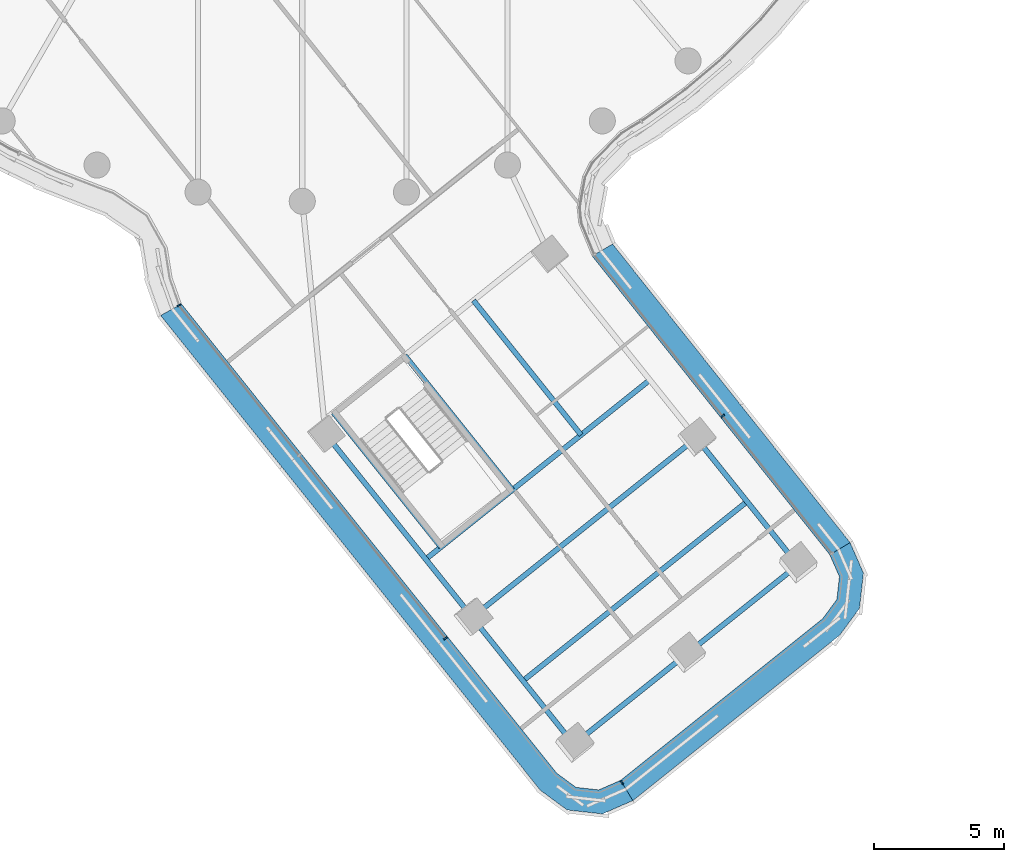
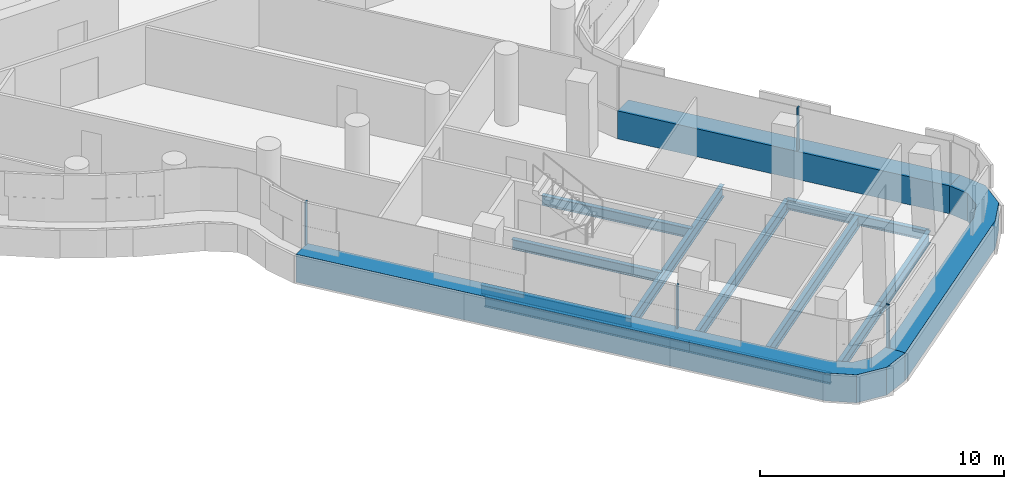
# One storey, part 4 of 31: 11 beams, 7 members, 3 elements without a shape of their own.
"""IFC4 building model written with IfcOpenShell, lengths in metres."""

from ifc_helpers import new_model, si_unit, direction, frame, origin, origin_2d, place, context, subcontext, project, spatial, polyline, rectangle, i_section, outline, extrude, material, layer, layer_set, material_profile, profile_set, type_object, element, aggregate, save


model = new_model("IFC4")

# Units and contexts
model_context = context("Model", 3, precision=1e-05, world=origin(), true_north=direction((0.0, 1.0)))
body_context = subcontext(model_context, "Body", "Model", "MODEL_VIEW")
ifc_project = project(units=[si_unit("LENGTHUNIT", "METRE"), si_unit("AREAUNIT", "SQUARE_METRE"), si_unit("VOLUMEUNIT", "CUBIC_METRE"), si_unit("PLANEANGLEUNIT", "RADIAN"), si_unit("MASSUNIT", "GRAM", prefix="KILO")], contexts=[model_context])

# Site, building, storey
site_placement = place(None, origin())
site = spatial("IfcSite", under=ifc_project, at=site_placement, CompositionType="ELEMENT")
building_placement = place(site_placement, origin())
building = spatial("IfcBuilding", under=site, at=building_placement, Name="Tamarind Cross Interchange Tower", CompositionType="ELEMENT")
storey_placement = place(building_placement, frame((0.0, 0.0, 174.25)))
storey = spatial("IfcBuildingStorey", under=building, at=storey_placement, Name="L43", CompositionType="ELEMENT", Elevation=174.25)

# Beams
ifc_material_1 = material(Name="Steel Q355B", Category="steel")
ifc_material_profile_1 = material_profile(ifc_material_1, i_section(OverallWidth=0.198974609375, OverallDepth=0.49609375, WebThickness=0.009033203125, FlangeThickness=0.013916015625, FilletRadius=0.012939453125, at=origin_2d()), Name="HN 496x199x9x14")
ifc_profile_set_1 = profile_set([ifc_material_profile_1], Name="Steel Q355B")
beam_type_1 = type_object("IfcBeamType", Name="Composite beam HN 496x199x9x14 Q355B", PredefinedType="BEAM", material=ifc_profile_set_1)
beam_1_placement = place(storey_placement, frame((10.406982421875, -43.814697265625, -0.387939453125), z_axis=(-0.624652076145, 0.780903184631, 0.0), x_axis=(-0.780903184631, -0.624652076145, 0.0)))
element("IfcBeam", 1, at=beam_1_placement, inside=storey, type_object=beam_type_1, Name="Beam S-edgeem5", PredefinedType="BEAM", context=body_context, shape_type="SweptSolid", body=[
    extrude(i_section(OverallWidth=0.198974609375, OverallDepth=0.49609375, WebThickness=0.009033203125, FlangeThickness=0.013916015625, FilletRadius=0.012939453125, at=origin_2d()), origin(), (0.0, 0.0, 1.0), 6.23583984375),
])
beam_2_placement = place(storey_placement, frame((6.51171875, -38.945068359375, -0.387939453125), z_axis=(-0.624652040483, 0.780903213158, 0.0), x_axis=(-0.780903213158, -0.624652040483, 0.0)))
element("IfcBeam", 2, at=beam_2_placement, inside=storey, type_object=beam_type_1, Name="Beam S-edgeem6", PredefinedType="BEAM", context=body_context, shape_type="SweptSolid", body=[
    extrude(i_section(OverallWidth=0.198974609375, OverallDepth=0.49609375, WebThickness=0.009033203125, FlangeThickness=0.013916015625, FilletRadius=0.012939453125, at=origin_2d()), origin(), (0.0, 0.0, 1.0), 9.0),
])
beam_3_placement = place(storey_placement, frame((18.996826171875, -36.943359375, -0.387939453125), z_axis=(-0.624652076145, 0.780903184631, 0.0), x_axis=(-0.780903184631, -0.624652076145, 0.0)))
element("IfcBeam", 3, at=beam_3_placement, inside=storey, type_object=beam_type_1, Name="Beam S-edgeep2", PredefinedType="BEAM", context=body_context, shape_type="SweptSolid", body=[
    extrude(i_section(OverallWidth=0.198974609375, OverallDepth=0.49609375, WebThickness=0.009033203125, FlangeThickness=0.013916015625, FilletRadius=0.012939453125, at=origin_2d()), origin(), (0.0, 0.0, 1.0), 6.23583984375),
])
for number, where, z_axis, x_axis, name in (
    (4, (1.1943359375, -31.09716796875, -0.387939453125), (0.624672491608, -0.780886853666, 0.0), (0.780886853666, 0.624672491608, 0.0), "Beam S-tr0"),
    (5, (3.927490234375, -28.910888671875, -0.387939453125), (0.624672491608, -0.780886853666, 0.0), (0.780886853666, 0.624672491608, 0.0), "Beam S-tr1"),
):
    element("IfcBeam", number, at=place(storey_placement, frame(where, z_axis=z_axis, x_axis=x_axis)), inside=storey, type_object=beam_type_1, Name=name, PredefinedType="BEAM", context=body_context, shape_type="SweptSolid", body=[
        extrude(i_section(OverallWidth=0.198974609375, OverallDepth=0.49609375, WebThickness=0.009033203125, FlangeThickness=0.013916015625, FilletRadius=0.012939453125, at=origin_2d()), origin(), (0.0, 0.0, 1.0), 6.599853515625),
    ])
beam_4_placement = place(storey_placement, frame((6.56298828125, -26.802490234375, -0.387939453125), z_axis=(0.624654447649, -0.780901287637, 0.0), x_axis=(0.780901287637, 0.624654447649, 0.0)))
element("IfcBeam", 6, at=beam_4_placement, inside=storey, type_object=beam_type_1, Name="Beam S-stripp", PredefinedType="BEAM", context=body_context, shape_type="SweptSolid", body=[
    extrude(i_section(OverallWidth=0.198974609375, OverallDepth=0.49609375, WebThickness=0.009033203125, FlangeThickness=0.013916015625, FilletRadius=0.012939453125, at=origin_2d()), origin(), (0.0, 0.0, 1.0), 6.60009765625),
])
ifc_material_profile_2 = material_profile(ifc_material_1, i_section(OverallWidth=0.199951171875, OverallDepth=0.60009765625, WebThickness=0.010986328125, FlangeThickness=0.01708984375, FilletRadius=0.012939453125, at=origin_2d()), Name="HN 600x200x11x17")
ifc_profile_set_2 = profile_set([ifc_material_profile_2], Name="Steel Q355B")
beam_type_2 = type_object("IfcBeamType", Name="Composite beam HN 600x200x11x17 Q355B", PredefinedType="BEAM", material=ifc_profile_set_2)
for number, where, z_axis, x_axis, name in (
    (7, (10.406982421875, -43.814697265625, -0.43994140625), (0.780881801019, 0.624678807739, 0.0), (-0.624678807739, 0.780881801019, 0.0), "Beam S-tip0"),
    (8, (14.701904296875, -40.37890625, -0.43994140625), (0.780903453855, 0.624651739578, 0.0), (-0.624651739578, 0.780903453855, 0.0), "Beam S-tip1"),
):
    element("IfcBeam", number, at=place(storey_placement, frame(where, z_axis=z_axis, x_axis=x_axis)), inside=storey, type_object=beam_type_2, Name=name, PredefinedType="BEAM", context=body_context, shape_type="SweptSolid", body=[
        extrude(i_section(OverallWidth=0.199951171875, OverallDepth=0.60009765625, WebThickness=0.010986328125, FlangeThickness=0.01708984375, FilletRadius=0.012939453125, at=origin_2d()), origin(), (0.0, 0.0, 1.0), 5.5),
    ])
for number, where, z_axis, x_axis, name in (
    (9, (4.7314453125, -36.719482421875, -0.43994140625), (0.780892627404, 0.62466527394, 0.0), (-0.62466527394, 0.780892627404, 0.0), "Beam S-x364"),
    (10, (6.51171875, -38.945068359375, -0.43994140625), (0.780892627404, 0.62466527394, 0.0), (-0.62466527394, 0.780892627404, 0.0), "Beam S-x393"),
    (11, (8.45947265625, -41.3798828125, -0.43994140625), (0.780892627404, 0.62466527394, 0.0), (-0.62466527394, 0.780892627404, 0.0), "Beam S-x424"),
):
    element("IfcBeam", number, at=place(storey_placement, frame(where, z_axis=z_axis, x_axis=x_axis)), inside=storey, type_object=beam_type_2, Name=name, PredefinedType="BEAM", context=body_context, shape_type="SweptSolid", body=[
        extrude(i_section(OverallWidth=0.199951171875, OverallDepth=0.60009765625, WebThickness=0.010986328125, FlangeThickness=0.01708984375, FilletRadius=0.012939453125, at=origin_2d()), origin(), (0.0, 0.0, 1.0), 11.0),
    ])

# Curtain wall, member
ifc_material_2 = material(Name="Aluminium 6063-T6", Category="aluminium")
ifc_layer = layer(ifc_material_2, 0.159912109375)
ifc_layer_set = layer_set([ifc_layer], Name="Aluminium 6063-T6")
curtain_wall_type = type_object("IfcCurtainWallType", Name="Office curtain wall, 9.0 m bays", PredefinedType="NOTDEFINED", material=ifc_layer_set)
curtain_wall_1_placement = place(storey_placement, origin())
curtain_wall_1 = element("IfcCurtainWall", 12, at=curtain_wall_1_placement, inside=storey, type_object=curtain_wall_type, Name="CWS-L43-03", PredefinedType="NOTDEFINED")
ifc_material_3 = material(Name="Aluminium and insulated spandrel panel", Category="aluminium")
member_type_1 = type_object("IfcMemberType", Name="Floor-edge blade transom", PredefinedType="USERDEFINED", material=ifc_material_3)
member_1_placement = place(storey_placement, origin())
member_1 = element("IfcMember", 13, at=member_1_placement, type_object=member_type_1, Name="CWT-L43-03", ObjectType="TRANSOM", PredefinedType="USERDEFINED", context=body_context, shape_type="SweptSolid", body=[
    extrude(outline(polyline([(-4.633056640625, -26.933837890625), (9.756103515625, -44.921875), (10.493408203125, -45.46435546875), (11.362548828125, -45.560791015625), (12.201171875, -45.193603515625), (12.670654296875, -45.970458984375), (11.5029296875, -46.48193359375), (10.154296875, -46.33203125), (9.127197265625, -45.57666015625), (-5.430908203125, -27.377197265625), (-4.633056640625, -26.933837890625)])), origin(), (0.0, 0.0, 1.0), 1.39990234375),
])

curtain_wall_2_placement = place(storey_placement, origin())
curtain_wall_2 = element("IfcCurtainWall", 14, at=curtain_wall_2_placement, inside=storey, type_object=curtain_wall_type, Name="CWS-L43-04", PredefinedType="NOTDEFINED")
member_2_placement = place(storey_placement, origin())
member_2 = element("IfcMember", 15, at=member_2_placement, type_object=member_type_1, Name="CWT-L43-04", ObjectType="TRANSOM", PredefinedType="USERDEFINED", context=body_context, shape_type="SweptSolid", body=[
    extrude(outline(polyline([(12.201171875, -45.193603515625), (19.9482421875, -38.996337890625), (20.49072265625, -38.259033203125), (20.58740234375, -37.389892578125), (20.219970703125, -36.551025390625), (20.997314453125, -36.08251953125), (21.508544921875, -37.24951171875), (21.358642578125, -38.59814453125), (20.60302734375, -39.625), (12.670654296875, -45.970458984375), (12.201171875, -45.193603515625)])), origin(), (0.0, 0.0, 1.0), 1.39990234375),
])

curtain_wall_3_placement = place(storey_placement, origin())
curtain_wall_3 = element("IfcCurtainWall", 16, at=curtain_wall_3_placement, inside=storey, type_object=curtain_wall_type, Name="CWS-L43-05", PredefinedType="NOTDEFINED")
member_3_placement = place(storey_placement, origin())
member_3 = element("IfcMember", 17, at=member_3_placement, type_object=member_type_1, Name="CWT-L43-05", ObjectType="TRANSOM", PredefinedType="USERDEFINED", context=body_context, shape_type="SweptSolid", body=[
    extrude(outline(polyline([(20.219970703125, -36.551025390625), (11.109375, -25.097900390625), (11.893310546875, -24.637451171875), (20.997314453125, -36.08251953125), (20.219970703125, -36.551025390625)])), origin(), (0.0, 0.0, 1.0), 1.39990234375),
])

# Member
ifc_material_profile_3 = material_profile(ifc_material_2, rectangle(XDim=0.06005859375, YDim=0.159912109375, at=origin_2d()), Name="Mullion CW1")
ifc_profile_set_3 = profile_set([ifc_material_profile_3], Name="Aluminium 6063-T6")
member_type_2 = type_object("IfcMemberType", Name="Mullion CW1", PredefinedType="MULLION", material=ifc_profile_set_3)
member_4_placement = place(storey_placement, frame((-4.721923828125, -26.983154296875, 1.39990234375), z_axis=(0.0, 0.0, 1.0), x_axis=(0.485867718197, -0.874032356617, 0.0)))
member_4 = element("IfcMember", 18, at=member_4_placement, type_object=member_type_2, Name="CWM-L43-03-00", PredefinedType="MULLION", context=body_context, shape_type="SweptSolid", body=[
    extrude(rectangle(XDim=0.06005859375, YDim=0.159912109375, at=origin_2d()), origin(), (0.0, 0.0, 1.0), 2.170166015625),
])

member_5_placement = place(storey_placement, frame((5.4912109375, -39.750244140625, 1.39990234375), z_axis=(0.0, 0.0, 1.0), x_axis=(0.624664951388, -0.780892885425, 0.0)))
member_5 = element("IfcMember", 19, at=member_5_placement, type_object=member_type_2, Name="CWM-L43-03-02", PredefinedType="MULLION", context=body_context, shape_type="SweptSolid", body=[
    extrude(rectangle(XDim=0.06005859375, YDim=0.159912109375, at=origin_2d()), origin(), (0.0, 0.0, 1.0), 2.170166015625),
])

aggregate(curtain_wall_1, [member_4, member_5, member_1])

member_6_placement = place(storey_placement, frame((12.253173828125, -45.27978515625, 1.39990234375), z_axis=(0.0, 0.0, 1.0), x_axis=(0.855747376056, 0.517393881268, 0.0)))
member_6 = element("IfcMember", 20, at=member_6_placement, type_object=member_type_2, Name="CWM-L43-04-00", PredefinedType="MULLION", context=body_context, shape_type="SweptSolid", body=[
    extrude(rectangle(XDim=0.06005859375, YDim=0.159912109375, at=origin_2d()), origin(), (0.0, 0.0, 1.0), 2.170166015625),
])

aggregate(curtain_wall_2, [member_6, member_2])

member_7_placement = place(storey_placement, frame((16.114013671875, -31.228515625, 1.39990234375), z_axis=(0.0, 0.0, 1.0), x_axis=(-0.622525287487, 0.782599684666, 0.0)))
member_7 = element("IfcMember", 21, at=member_7_placement, type_object=member_type_2, Name="CWM-L43-05-01", PredefinedType="MULLION", context=body_context, shape_type="SweptSolid", body=[
    extrude(rectangle(XDim=0.06005859375, YDim=0.159912109375, at=origin_2d()), origin(), (0.0, 0.0, 1.0), 2.170166015625),
])

aggregate(curtain_wall_3, [member_7, member_3])

save(model, "model.ifc")
